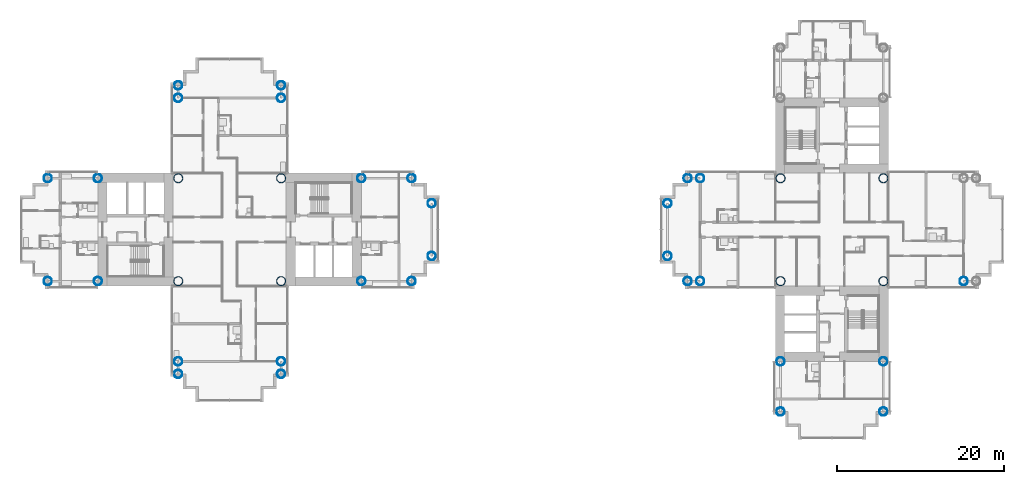
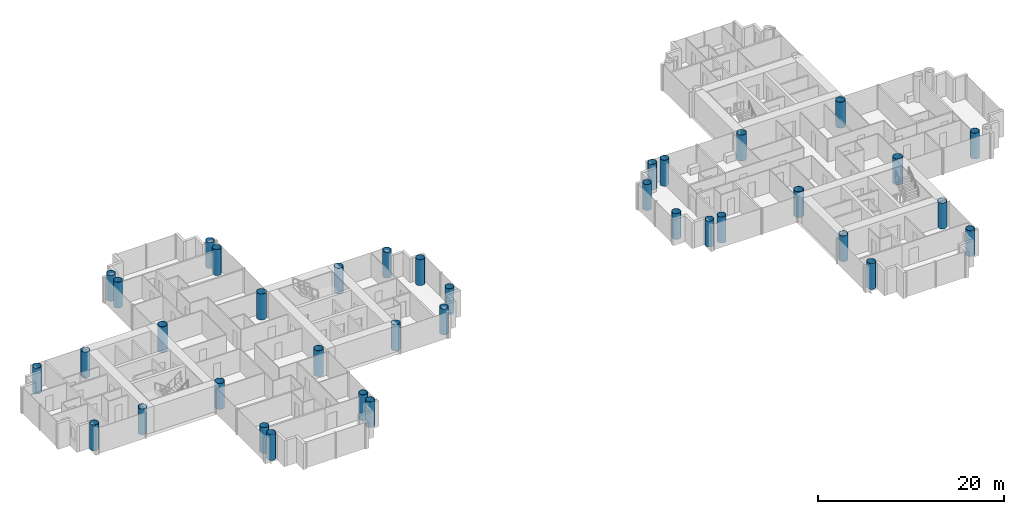
# One storey, part 1 of 21: 37 columns.
"""IFC4 building model written with IfcOpenShell, lengths in metres."""

from ifc_helpers import new_model, si_unit, direction, frame, origin, origin_2d, place, context, subcontext, project, spatial, hollow_circle, extrude, material, material_profile, profile_set, type_object, element, save


model = new_model("IFC4")

# Units and contexts
model_context = context("Model", 3, precision=1e-05, world=origin(), true_north=direction((0.0, 1.0)))
body_context = subcontext(model_context, "Body", "Model", "MODEL_VIEW")
ifc_project = project(units=[si_unit("LENGTHUNIT", "METRE"), si_unit("AREAUNIT", "SQUARE_METRE"), si_unit("VOLUMEUNIT", "CUBIC_METRE"), si_unit("PLANEANGLEUNIT", "RADIAN"), si_unit("MASSUNIT", "GRAM", prefix="KILO")], contexts=[model_context])

# Site, building, storey
site_placement = place(None, origin())
site = spatial("IfcSite", under=ifc_project, at=site_placement, CompositionType="ELEMENT")
building_placement = place(site_placement, origin())
building = spatial("IfcBuilding", under=site, at=building_placement, Name="Ipe Terrace Towers", CompositionType="ELEMENT")
storey_placement = place(building_placement, frame((0.0, 0.0, 34.699951171875)))
storey = spatial("IfcBuildingStorey", under=building, at=storey_placement, Name="L08", CompositionType="ELEMENT", Elevation=34.699951171875)

# Columns
ifc_material_1 = material(Name="Steel S355 tube with Concrete C60/75 fill", Category="concrete")
ifc_material_profile_1 = material_profile(ifc_material_1, hollow_circle(Radius=0.5, WallThickness=0.035888671875, at=origin_2d()), Name="CHS-1000x36")
ifc_profile_set_1 = profile_set([ifc_material_profile_1], Name="Steel S355 tube with Concrete C60/75 fill")
column_type_1 = type_object("IfcColumnType", Name="CH01 COLUMN CHS-1000x36", PredefinedType="COLUMN", material=ifc_profile_set_1)
for number, where, z_axis, x_axis, name in (
    (1, (-20.25, -6.14990234375, 0.0), (0.0, 0.0, 1.0), (1.0, 0.0, 0.0), "Column T1-C-A01"),
    (2, (-20.25, 6.14990234375, 0.0), (0.0, 0.0, 1.0), (1.0, 0.0, 0.0), "Column T1-C-A02"),
    (3, (-14.25, -6.14990234375, 0.0), (0.0, 0.0, 1.0), (1.0, 0.0, 0.0), "Column T1-C-A03"),
    (4, (-14.25, 6.14990234375, 0.0), (0.0, 0.0, 1.0), (1.0, 0.0, 0.0), "Column T1-C-A04"),
    (5, (-11.85009765625, -3.14990234375, 0.0), (0.0, 0.0, 1.0), (1.0, 0.0, 0.0), "Column T1-C-A05"),
    (6, (-11.85009765625, 3.14990234375, 0.0), (0.0, 0.0, 1.0), (1.0, 0.0, 0.0), "Column T1-C-A06"),
    (7, (-29.85009765625, 15.75, 0.0), (0.0, 0.0, 1.0), (1.0, 0.0, 0.0), "Column T1-C-B03"),
    (8, (-42.14990234375, 15.75, 0.0), (0.0, 0.0, 1.0), (1.0, 0.0, 0.0), "Column T1-C-B04"),
    (9, (-29.85009765625, 17.25, 0.0), (0.0, 0.0, 1.0), (1.0, 0.0, 0.0), "Column T1-C-B05"),
    (10, (-42.14990234375, 17.25, 0.0), (0.0, 0.0, 1.0), (1.0, 0.0, 0.0), "Column T1-C-B06"),
    (11, (-51.75, -6.14990234375, 0.0), (0.0, 0.0, 1.0), (1.0, 0.0, 0.0), "Column T1-C-C01"),
    (12, (-51.75, 6.14990234375, 0.0), (0.0, 0.0, 1.0), (1.0, 0.0, 0.0), "Column T1-C-C02"),
    (13, (-57.75, -6.14990234375, 0.0), (0.0, 0.0, 1.0), (1.0, 0.0, 0.0), "Column T1-C-C03"),
    (14, (-57.75, 6.14990234375, 0.0), (0.0, 0.0, 1.0), (1.0, 0.0, 0.0), "Column T1-C-C04"),
    (15, (-42.14990234375, -15.75, 0.0), (0.0, 0.0, 1.0), (1.0, 0.0, 0.0), "Column T1-C-D03"),
    (16, (-29.85009765625, -15.75, 0.0), (0.0, 0.0, 1.0), (1.0, 0.0, 0.0), "Column T1-C-D04"),
    (17, (-42.14990234375, -17.25, 0.0), (0.0, 0.0, 1.0), (1.0, 0.0, 0.0), "Column T1-C-D05"),
    (18, (-29.85009765625, -17.25, 0.0), (0.0, 0.0, 1.0), (1.0, 0.0, 0.0), "Column T1-C-D06"),
    (19, (20.25, 6.14990234375, 0.0), (0.0, 0.0, 1.0), (1.0, 0.0, 0.0), "Column T2-C-B03"),
    (20, (20.25, -6.14990234375, 0.0), (0.0, 0.0, 1.0), (1.0, 0.0, 0.0), "Column T2-C-B04"),
    (21, (18.75, 6.14990234375, 0.0), (0.0, 0.0, 1.0), (1.0, 0.0, 0.0), "Column T2-C-B05"),
    (22, (18.75, -6.14990234375, 0.0), (0.0, 0.0, 1.0), (1.0, 0.0, 0.0), "Column T2-C-B06"),
    (23, (16.35009765625, 3.14990234375, 0.0), (0.0, 0.0, 1.0), (1.0, 0.0, 0.0), "Column T2-C-B07"),
    (24, (16.35009765625, -3.14990234375, 0.0), (0.0, 0.0, 1.0), (1.0, 0.0, 0.0), "Column T2-C-B08"),
    (25, (42.14990234375, -15.75, 0.0), (0.0, 0.0, 1.0), (1.0, 0.0, 0.0), "Column T2-C-C01"),
    (26, (29.85009765625, -15.75, 0.0), (0.0, 0.0, 1.0), (1.0, 0.0, 0.0), "Column T2-C-C02"),
    (27, (42.14990234375, -21.75, 0.0), (0.0, 0.0, 1.0), (1.0, 0.0, 0.0), "Column T2-C-C03"),
    (28, (29.85009765625, -21.75, 0.0), (0.0, 0.0, 1.0), (1.0, 0.0, 0.0), "Column T2-C-C04"),
    (29, (51.75, -6.14990234375, 0.0), (0.0, 0.0, 1.0), (1.0, 0.0, 0.0), "Column T2-C-D03"),
):
    element("IfcColumn", number, at=place(storey_placement, frame(where, z_axis=z_axis, x_axis=x_axis)), inside=storey, type_object=column_type_1, Name=name, PredefinedType="COLUMN", context=body_context, shape_type="SweptSolid", body=[
        extrude(hollow_circle(Radius=0.5, WallThickness=0.035888671875, at=origin_2d()), origin(), (0.0, 0.0, 1.0), 3.400146484375),
    ])
ifc_material_2 = material(Name="Steel S355 tube with Concrete C60/75 fill", Category="concrete")
ifc_material_profile_2 = material_profile(ifc_material_2, hollow_circle(Radius=0.550048828125, WallThickness=0.0400390625, at=origin_2d()), Name="CHS-1100x40")
ifc_profile_set_2 = profile_set([ifc_material_profile_2], Name="Steel S355 tube with Concrete C60/75 fill")
column_type_2 = type_object("IfcColumnType", Name="CH02 COLUMN CHS-1100x40", PredefinedType="COLUMN", material=ifc_profile_set_2)
for number, where, z_axis, x_axis, name in (
    (30, (-42.14990234375, -6.14990234375, 0.0), (0.0, 0.0, 1.0), (1.0, 0.0, 0.0), "Column T1-C-E01"),
    (31, (-29.85009765625, -6.14990234375, 0.0), (0.0, 0.0, 1.0), (1.0, 0.0, 0.0), "Column T1-C-E02"),
    (32, (-29.85009765625, 6.14990234375, 0.0), (0.0, 0.0, 1.0), (1.0, 0.0, 0.0), "Column T1-C-E03"),
    (33, (-42.14990234375, 6.14990234375, 0.0), (0.0, 0.0, 1.0), (1.0, 0.0, 0.0), "Column T1-C-E04"),
    (34, (42.14990234375, -6.14990234375, 0.0), (0.0, 0.0, 1.0), (1.0, 0.0, 0.0), "Column T2-C-E01"),
    (35, (42.14990234375, 6.14990234375, 0.0), (0.0, 0.0, 1.0), (1.0, 0.0, 0.0), "Column T2-C-E02"),
    (36, (29.85009765625, 6.14990234375, 0.0), (0.0, 0.0, 1.0), (1.0, 0.0, 0.0), "Column T2-C-E03"),
    (37, (29.85009765625, -6.14990234375, 0.0), (0.0, 0.0, 1.0), (1.0, 0.0, 0.0), "Column T2-C-E04"),
):
    element("IfcColumn", number, at=place(storey_placement, frame(where, z_axis=z_axis, x_axis=x_axis)), inside=storey, type_object=column_type_2, Name=name, PredefinedType="COLUMN", context=body_context, shape_type="SweptSolid", body=[
        extrude(hollow_circle(Radius=0.550048828125, WallThickness=0.0400390625, at=origin_2d()), origin(), (0.0, 0.0, 1.0), 3.400146484375),
    ])

save(model, "model.ifc")
